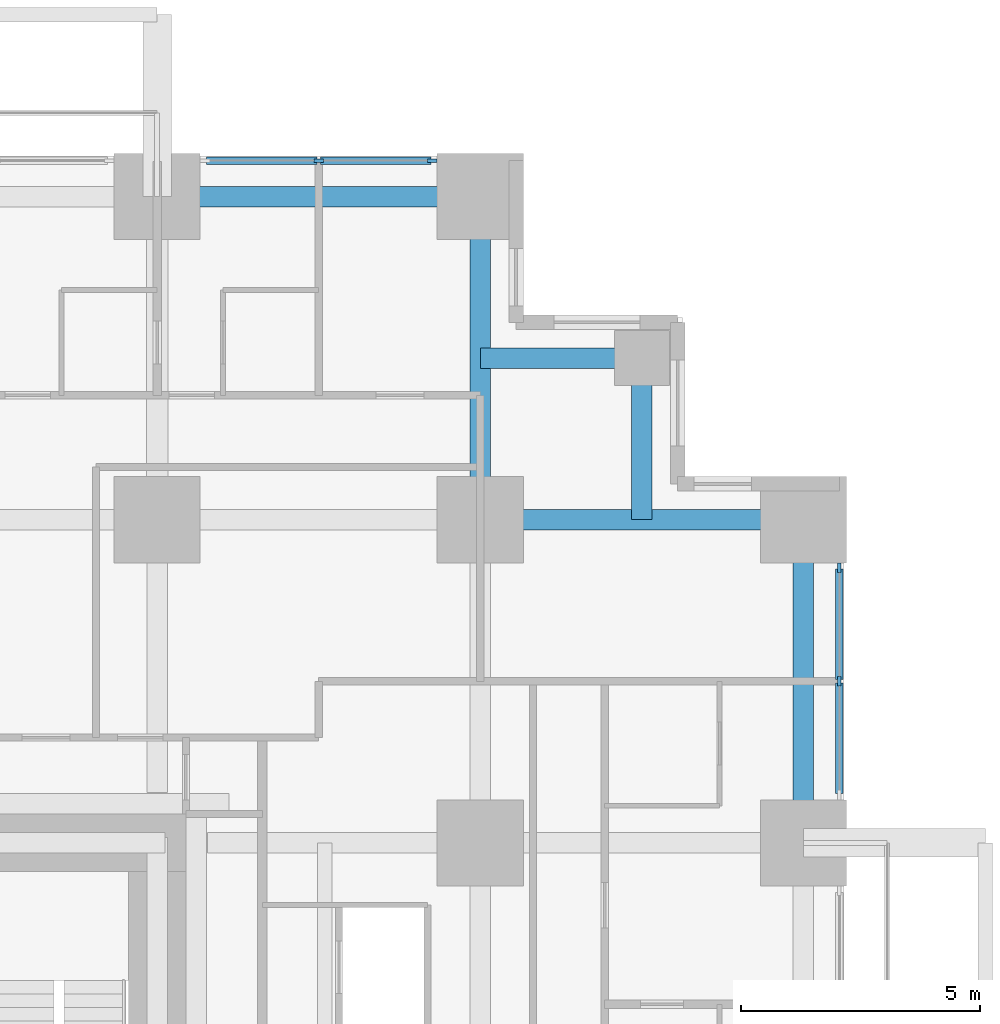
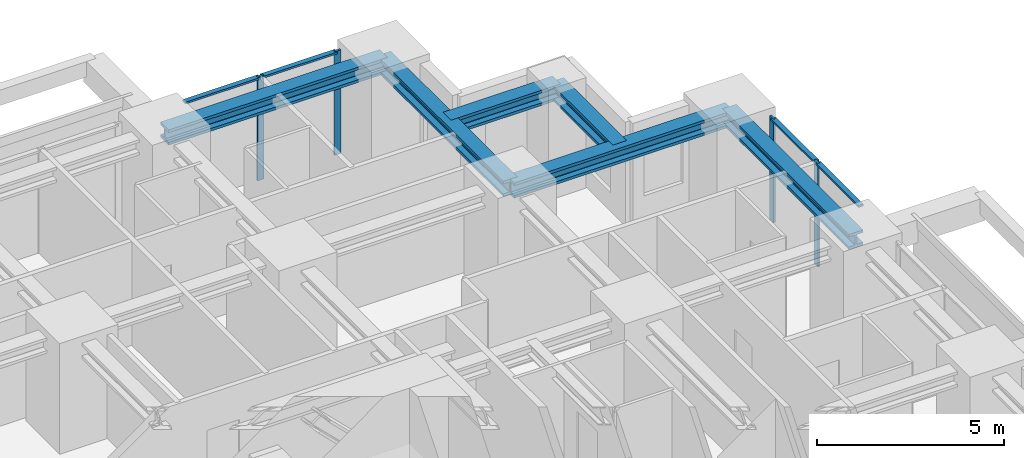
# One storey, part 6 of 14: 8 members, 6 beams, 2 elements without a shape of their own.
"""IFC4 building model written with IfcOpenShell, lengths in metres."""

from ifc_helpers import new_model, si_unit, direction, frame, origin, origin_2d, place, context, subcontext, project, spatial, rectangle, i_section, extrude, material, material_profile, profile_set, type_object, element, aggregate, save


model = new_model("IFC4")

# Units and contexts
model_context = context("Model", 3, precision=1e-05, world=origin(), true_north=direction((0.0, 1.0)))
body_context = subcontext(model_context, "Body", "Model", "MODEL_VIEW")
ifc_project = project(units=[si_unit("LENGTHUNIT", "METRE"), si_unit("AREAUNIT", "SQUARE_METRE"), si_unit("VOLUMEUNIT", "CUBIC_METRE"), si_unit("PLANEANGLEUNIT", "RADIAN"), si_unit("MASSUNIT", "GRAM", prefix="KILO")], contexts=[model_context])

# Site, building, storey
site_placement = place(None, origin())
site = spatial("IfcSite", under=ifc_project, at=site_placement, CompositionType="ELEMENT")
building_placement = place(site_placement, origin())
building = spatial("IfcBuilding", under=site, at=building_placement, Name="Nyansa Garden Tower", CompositionType="ELEMENT")
storey_placement = place(building_placement, frame((0.0, 0.0, 68.39990234375)))
storey = spatial("IfcBuildingStorey", under=building, at=storey_placement, Name="L18", CompositionType="ELEMENT", Elevation=68.39990234375)

# Curtain wall, members
ifc_material_1 = material(Name="Black anodised aluminium, dark tinted double glazing", Category="aluminium")
curtain_wall_type = type_object("IfcCurtainWallType", Name="Inner skin curtain wall ISW-A", PredefinedType="USERDEFINED", material=ifc_material_1)
curtain_wall_1_placement = place(storey_placement, origin())
curtain_wall_1 = element("IfcCurtainWall", 1, at=curtain_wall_1_placement, inside=storey, type_object=curtain_wall_type, Name="Inner skin curtain wall L18 E", ObjectType="UNITISED CURTAIN WALL", PredefinedType="USERDEFINED")
ifc_material_2 = material(Name="Black anodised aluminium", Category="aluminium")
ifc_material_profile_1 = material_profile(ifc_material_2, rectangle(XDim=0.06494140625, YDim=0.199951171875, at=origin_2d()), Name="Mullion 200x65")
ifc_profile_set_1 = profile_set([ifc_material_profile_1], Name="Black anodised aluminium")
member_type_1 = type_object("IfcMemberType", Name="Mullion ISW-A 200x65", PredefinedType="MULLION", material=ifc_profile_set_1)
member_1_placement = place(storey_placement, frame((41.25, 30.375, 0.0), z_axis=(0.0, 0.0, 1.0), x_axis=(-1.0, 0.0, 0.0)))
member_1 = element("IfcMember", 2, at=member_1_placement, type_object=member_type_1, Name="ISW-A mullion 2", PredefinedType="MULLION", context=body_context, shape_type="SweptSolid", body=[
    extrude(rectangle(XDim=0.06494140625, YDim=0.199951171875, at=origin_2d()), origin(), (0.0, 0.0, 1.0), 3.375),
])
member_2_placement = place(storey_placement, frame((41.25, 32.75, 0.0), z_axis=(0.0, 0.0, 1.0), x_axis=(-1.0, 0.0, 0.0)))
member_2 = element("IfcMember", 3, at=member_2_placement, type_object=member_type_1, Name="ISW-A mullion 3", PredefinedType="MULLION", context=body_context, shape_type="SweptSolid", body=[
    extrude(rectangle(XDim=0.06494140625, YDim=0.199951171875, at=origin_2d()), origin(), (0.0, 0.0, 1.0), 3.375),
])

curtain_wall_2_placement = place(storey_placement, origin())
curtain_wall_2 = element("IfcCurtainWall", 4, at=curtain_wall_2_placement, inside=storey, type_object=curtain_wall_type, Name="Inner skin curtain wall L18 N", ObjectType="UNITISED CURTAIN WALL", PredefinedType="USERDEFINED")
member_3_placement = place(storey_placement, frame((32.75, 41.25, 0.0), z_axis=(0.0, 0.0, 1.0), x_axis=(0.0, -1.0, 0.0)))
member_3 = element("IfcMember", 5, at=member_3_placement, type_object=member_type_1, Name="ISW-A mullion 1", PredefinedType="MULLION", context=body_context, shape_type="SweptSolid", body=[
    extrude(rectangle(XDim=0.06494140625, YDim=0.199951171875, at=origin_2d()), origin(), (0.0, 0.0, 1.0), 3.375),
])
member_4_placement = place(storey_placement, frame((30.375, 41.25, 0.0), z_axis=(0.0, 0.0, 1.0), x_axis=(0.0, -1.0, 0.0)))
member_4 = element("IfcMember", 6, at=member_4_placement, type_object=member_type_1, Name="ISW-A mullion 2", PredefinedType="MULLION", context=body_context, shape_type="SweptSolid", body=[
    extrude(rectangle(XDim=0.06494140625, YDim=0.199951171875, at=origin_2d()), origin(), (0.0, 0.0, 1.0), 3.375),
])

# Beams
ifc_material_3 = material(Name="Steel S355", Category="steel")
ifc_material_profile_2 = material_profile(ifc_material_3, i_section(OverallWidth=0.431884765625, OverallDepth=0.498046875, WebThickness=0.0556640625, FlangeThickness=0.0888671875, FilletRadius=0.014892578125, at=origin_2d()), Name="HD 400x744")
ifc_profile_set_2 = profile_set([ifc_material_profile_2], Name="Steel S355")
beam_type_1 = type_object("IfcBeamType", Name="Steel beam SBA2-744 HD 400x744", PredefinedType="BEAM", material=ifc_profile_set_2)
for number, where, z_axis, x_axis, name in (
    (7, (33.75, 33.75, 3.1259765625), (0.0, 1.0, 0.0), (-1.0, 0.0, 0.0), "Steel beam 7/J-7/K L19"),
    (8, (33.75, 33.75, 3.1259765625), (1.0, 0.0, 0.0), (0.0, 1.0, 0.0), "Steel beam 7/J-8/J L19"),
):
    element("IfcBeam", number, at=place(storey_placement, frame(where, z_axis=z_axis, x_axis=x_axis)), inside=storey, type_object=beam_type_1, Name=name, PredefinedType="BEAM", context=body_context, shape_type="SweptSolid", body=[
        extrude(i_section(OverallWidth=0.431884765625, OverallDepth=0.498046875, WebThickness=0.0556640625, FlangeThickness=0.0888671875, FilletRadius=0.014892578125, at=origin_2d()), origin(), (0.0, 0.0, 1.0), 6.75),
    ])
ifc_material_4 = material(Name="Steel S355", Category="steel")
ifc_material_profile_3 = material_profile(ifc_material_4, i_section(OverallWidth=0.431884765625, OverallDepth=0.498046875, WebThickness=0.0556640625, FlangeThickness=0.0888671875, FilletRadius=0.014892578125, at=origin_2d()), Name="HD 400x744")
ifc_profile_set_3 = profile_set([ifc_material_profile_3], Name="Steel S355")
beam_type_2 = type_object("IfcBeamType", Name="Steel beam SEBA-744 HD 400x744", PredefinedType="BEAM", material=ifc_profile_set_3)
for number, where, z_axis, x_axis, name in (
    (9, (27.0, 40.5, 3.1259765625), (1.0, 0.0, 0.0), (0.0, 1.0, 0.0), "Steel edge beam 6/K-7/K L19"),
    (10, (40.5, 27.0, 3.1259765625), (0.0, 1.0, 0.0), (-1.0, 0.0, 0.0), "Steel edge beam 8/H-8/J L19"),
):
    element("IfcBeam", number, at=place(storey_placement, frame(where, z_axis=z_axis, x_axis=x_axis)), inside=storey, type_object=beam_type_2, Name=name, PredefinedType="BEAM", context=body_context, shape_type="SweptSolid", body=[
        extrude(i_section(OverallWidth=0.431884765625, OverallDepth=0.498046875, WebThickness=0.0556640625, FlangeThickness=0.0888671875, FilletRadius=0.014892578125, at=origin_2d()), origin(), (0.0, 0.0, 1.0), 6.75),
    ])
ifc_material_5 = material(Name="Steel S355", Category="steel")
ifc_material_profile_4 = material_profile(ifc_material_5, i_section(OverallWidth=0.431884765625, OverallDepth=0.498046875, WebThickness=0.0556640625, FlangeThickness=0.0888671875, FilletRadius=0.014892578125, at=origin_2d()), Name="HD 400x744")
ifc_profile_set_4 = profile_set([ifc_material_profile_4], Name="Steel S355")
beam_type_3 = type_object("IfcBeamType", Name="Steel beam SSB1-744 HD 400x744", PredefinedType="BEAM", material=ifc_profile_set_4)
for number, where, z_axis, x_axis, name in (
    (11, (37.125, 37.125, 3.1259765625), (0.0, -1.0, 0.0), (1.0, 0.0, 0.0), "Steel step beam 37.125/37.125 L19"),
    (12, (37.125, 37.125, 3.1259765625), (-1.0, 0.0, 0.0), (0.0, -1.0, 0.0), "Steel step beam 37.125/37.125 L19"),
):
    element("IfcBeam", number, at=place(storey_placement, frame(where, z_axis=z_axis, x_axis=x_axis)), inside=storey, type_object=beam_type_3, Name=name, PredefinedType="BEAM", context=body_context, shape_type="SweptSolid", body=[
        extrude(i_section(OverallWidth=0.431884765625, OverallDepth=0.498046875, WebThickness=0.0556640625, FlangeThickness=0.0888671875, FilletRadius=0.014892578125, at=origin_2d()), origin(), (0.0, 0.0, 1.0), 3.375),
    ])

# Member
ifc_material_6 = material(Name="Black anodised aluminium", Category="aluminium")
ifc_material_profile_5 = material_profile(ifc_material_6, rectangle(XDim=0.14990234375, YDim=0.06494140625, at=origin_2d()), Name="Transom 150x65")
ifc_profile_set_5 = profile_set([ifc_material_profile_5], Name="Black anodised aluminium")
member_type_2 = type_object("IfcMemberType", Name="Transom ISW-A 150x65", PredefinedType="USERDEFINED", material=ifc_profile_set_5)
member_5_placement = place(storey_placement, frame((41.25, 28.032470703125, 3.342529296875), z_axis=(0.0, 1.0, 0.0), x_axis=(-1.0, 0.0, 0.0)))
member_5 = element("IfcMember", 13, at=member_5_placement, type_object=member_type_2, Name="ISW-A transom 1", ObjectType="TRANSOM", PredefinedType="USERDEFINED", context=body_context, shape_type="SweptSolid", body=[
    extrude(rectangle(XDim=0.14990234375, YDim=0.06494140625, at=origin_2d()), origin(), (0.0, 0.0, 1.0), 2.31005859375),
])

member_6_placement = place(storey_placement, frame((41.25, 30.407470703125, 3.342529296875), z_axis=(0.0, 1.0, 0.0), x_axis=(-1.0, 0.0, 0.0)))
member_6 = element("IfcMember", 14, at=member_6_placement, type_object=member_type_2, Name="ISW-A transom 2", ObjectType="TRANSOM", PredefinedType="USERDEFINED", context=body_context, shape_type="SweptSolid", body=[
    extrude(rectangle(XDim=0.14990234375, YDim=0.06494140625, at=origin_2d()), origin(), (0.0, 0.0, 1.0), 2.31005859375),
])

aggregate(curtain_wall_1, [member_1, member_2, member_5, member_6])

member_7_placement = place(storey_placement, frame((32.717529296875, 41.25, 3.342529296875), z_axis=(-1.0, 0.0, 0.0), x_axis=(0.0, -1.0, 0.0)))
member_7 = element("IfcMember", 15, at=member_7_placement, type_object=member_type_2, Name="ISW-A transom 1", ObjectType="TRANSOM", PredefinedType="USERDEFINED", context=body_context, shape_type="SweptSolid", body=[
    extrude(rectangle(XDim=0.14990234375, YDim=0.06494140625, at=origin_2d()), origin(), (0.0, 0.0, 1.0), 2.31005859375),
])

member_8_placement = place(storey_placement, frame((30.342529296875, 41.25, 3.342529296875), z_axis=(-1.0, 0.0, 0.0), x_axis=(0.0, -1.0, 0.0)))
member_8 = element("IfcMember", 16, at=member_8_placement, type_object=member_type_2, Name="ISW-A transom 2", ObjectType="TRANSOM", PredefinedType="USERDEFINED", context=body_context, shape_type="SweptSolid", body=[
    extrude(rectangle(XDim=0.14990234375, YDim=0.06494140625, at=origin_2d()), origin(), (0.0, 0.0, 1.0), 2.31005859375),
])

aggregate(curtain_wall_2, [member_3, member_4, member_7, member_8])

save(model, "model.ifc")
